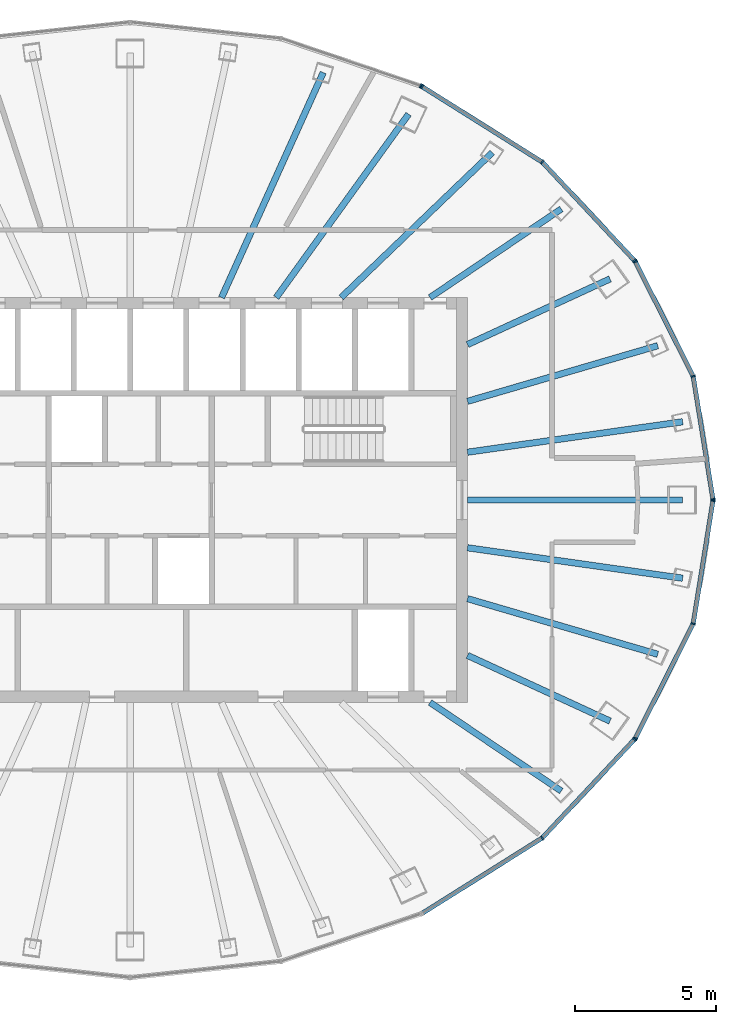
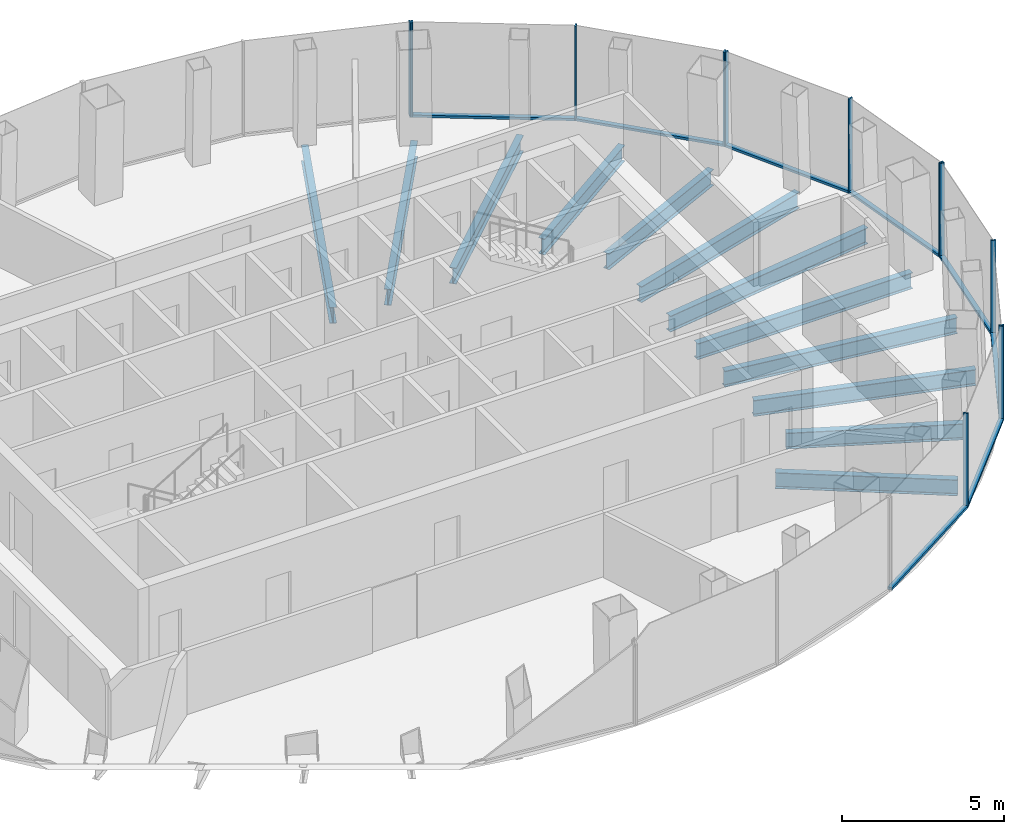
# One storey, part 5 of 11: 20 members, 12 beams, 5 elements without a shape of their own.
"""IFC4 building model written with IfcOpenShell, lengths in metres."""

from ifc_helpers import new_model, si_unit, direction, frame, origin, origin_2d, place, context, subcontext, project, spatial, rectangle, i_section, extrude, material, layer, layer_set, material_profile, profile_set, type_object, element, aggregate, save


model = new_model("IFC4")

# Units and contexts
model_context = context("Model", 3, precision=1e-05, world=origin(), true_north=direction((0.0, 1.0)))
body_context = subcontext(model_context, "Body", "Model", "MODEL_VIEW")
ifc_project = project(units=[si_unit("LENGTHUNIT", "METRE"), si_unit("AREAUNIT", "SQUARE_METRE"), si_unit("VOLUMEUNIT", "CUBIC_METRE"), si_unit("PLANEANGLEUNIT", "RADIAN"), si_unit("MASSUNIT", "GRAM", prefix="KILO")], contexts=[model_context])

# Site, building, storey
site_placement = place(None, origin())
site = spatial("IfcSite", under=ifc_project, at=site_placement, CompositionType="ELEMENT")
building_placement = place(site_placement, origin())
building = spatial("IfcBuilding", under=site, at=building_placement, Name="Siaravel Broadcast Tower", CompositionType="ELEMENT")
storey_placement = place(building_placement, frame((0.0, 0.0, 254.10009765625)))
storey = spatial("IfcBuildingStorey", under=building, at=storey_placement, Name="L62", CompositionType="ELEMENT", Elevation=254.10009765625)

# Beams
ifc_material_1 = material(Name="Steel S355", Category="steel")
ifc_material_profile_1 = material_profile(ifc_material_1, i_section(OverallWidth=0.2275390625, OverallDepth=0.6025390625, WebThickness=0.010498046875, FlangeThickness=0.014892578125, FilletRadius=0.0126953125, at=origin_2d()))
ifc_profile_set_1 = profile_set([ifc_material_profile_1], Name="Steel S355")
beam_type = type_object("IfcBeamType", Name="BM-UB 610x229x101", PredefinedType="BEAM", material=ifc_profile_set_1)
beam_1_placement = place(storey_placement, frame((19.647705078125, 0.0, -0.451416015625), z_axis=(-1.0, 0.0, 0.0), x_axis=(0.0, -1.0, 0.0)))
element("IfcBeam", 1, at=beam_1_placement, inside=storey, type_object=beam_type, Name="Radial beam RB01", PredefinedType="BEAM", context=body_context, shape_type="SweptSolid", body=[
    extrude(i_section(OverallWidth=0.2275390625, OverallDepth=0.6025390625, WebThickness=0.010498046875, FlangeThickness=0.014892578125, FilletRadius=0.0126953125, at=origin_2d()), origin(), (0.0, 0.0, 1.0), 7.647705078125),
])
beam_2_placement = place(storey_placement, frame((19.650390625, 2.78271484375, -0.451416015625), z_axis=(-0.990119396, -0.140226892, 0.0), x_axis=(0.140226892, -0.990119396, 0.0)))
element("IfcBeam", 2, at=beam_2_placement, inside=storey, type_object=beam_type, Name="Radial beam RB02", PredefinedType="BEAM", context=body_context, shape_type="SweptSolid", body=[
    extrude(i_section(OverallWidth=0.2275390625, OverallDepth=0.6025390625, WebThickness=0.010498046875, FlangeThickness=0.014892578125, FilletRadius=0.0126953125, at=origin_2d()), origin(), (0.0, 0.0, 1.0), 7.726806640625),
])
beam_3_placement = place(storey_placement, frame((18.765380859375, 5.48779296875, -0.451416015625), z_axis=(-0.95979842, -0.280690209, 0.0), x_axis=(0.280690209, -0.95979842, 0.0)))
element("IfcBeam", 3, at=beam_3_placement, inside=storey, type_object=beam_type, Name="Radial beam RB03", PredefinedType="BEAM", context=body_context, shape_type="SweptSolid", body=[
    extrude(i_section(OverallWidth=0.2275390625, OverallDepth=0.6025390625, WebThickness=0.010498046875, FlangeThickness=0.014892578125, FilletRadius=0.0126953125, at=origin_2d()), origin(), (0.0, 0.0, 1.0), 7.048828125),
])
beam_4_placement = place(storey_placement, frame((17.06884765625, 7.863525390625, -0.451416015625), z_axis=(-0.908249809, -0.418428351, 0.0), x_axis=(0.418428351, -0.908249809, 0.0)))
element("IfcBeam", 4, at=beam_4_placement, inside=storey, type_object=beam_type, Name="Radial beam RB04", PredefinedType="BEAM", context=body_context, shape_type="SweptSolid", body=[
    extrude(i_section(OverallWidth=0.2275390625, OverallDepth=0.6025390625, WebThickness=0.010498046875, FlangeThickness=0.014892578125, FilletRadius=0.0126953125, at=origin_2d()), origin(), (0.0, 0.0, 1.0), 5.580810546875),
])
beam_5_placement = place(storey_placement, frame((15.334716796875, 10.3515625, -0.451416015625), z_axis=(-0.828829078, -0.559501886, 0.0), x_axis=(0.559501886, -0.828829078, 0.0)))
element("IfcBeam", 5, at=beam_5_placement, inside=storey, type_object=beam_type, Name="Radial beam RB05", PredefinedType="BEAM", context=body_context, shape_type="SweptSolid", body=[
    extrude(i_section(OverallWidth=0.2275390625, OverallDepth=0.6025390625, WebThickness=0.010498046875, FlangeThickness=0.014892578125, FilletRadius=0.0126953125, at=origin_2d()), origin(), (0.0, 0.0, 1.0), 5.6328125),
])
beam_6_placement = place(storey_placement, frame((12.88330078125, 12.359375, -0.451416015625), z_axis=(-0.72163014, -0.692278803, 0.0), x_axis=(0.692278803, -0.72163014, 0.0)))
element("IfcBeam", 6, at=beam_6_placement, inside=storey, type_object=beam_type, Name="Radial beam RB06", PredefinedType="BEAM", context=body_context, shape_type="SweptSolid", body=[
    extrude(i_section(OverallWidth=0.2275390625, OverallDepth=0.6025390625, WebThickness=0.010498046875, FlangeThickness=0.014892578125, FilletRadius=0.0126953125, at=origin_2d()), origin(), (0.0, 0.0, 1.0), 7.452880859375),
])
beam_7_placement = place(storey_placement, frame((9.903564453125, 13.723388671875, -0.451416015625), z_axis=(-0.585195779, -0.81089204, 0.0), x_axis=(0.81089204, -0.585195779, 0.0)))
element("IfcBeam", 7, at=beam_7_placement, inside=storey, type_object=beam_type, Name="Radial beam RB07", PredefinedType="BEAM", context=body_context, shape_type="SweptSolid", body=[
    extrude(i_section(OverallWidth=0.2275390625, OverallDepth=0.6025390625, WebThickness=0.010498046875, FlangeThickness=0.014892578125, FilletRadius=0.0126953125, at=origin_2d()), origin(), (0.0, 0.0, 1.0), 8.044677734375),
])
beam_8_placement = place(storey_placement, frame((6.86767578125, 15.203125, -0.451416015625), z_axis=(-0.411671636, -0.911332247, 0.0), x_axis=(0.911332247, -0.411671636, 0.0)))
element("IfcBeam", 8, at=beam_8_placement, inside=storey, type_object=beam_type, Name="Radial beam RB08", PredefinedType="BEAM", context=body_context, shape_type="SweptSolid", body=[
    extrude(i_section(OverallWidth=0.2275390625, OverallDepth=0.6025390625, WebThickness=0.010498046875, FlangeThickness=0.014892578125, FilletRadius=0.0126953125, at=origin_2d()), origin(), (0.0, 0.0, 1.0), 8.78173828125),
])
beam_9_placement = place(storey_placement, frame((15.334716796875, -10.3515625, -0.451416015625), z_axis=(-0.828829078, 0.559501886, 0.0), x_axis=(-0.559501886, -0.828829078, 0.0)))
element("IfcBeam", 9, at=beam_9_placement, inside=storey, type_object=beam_type, Name="Radial beam RB33", PredefinedType="BEAM", context=body_context, shape_type="SweptSolid", body=[
    extrude(i_section(OverallWidth=0.2275390625, OverallDepth=0.6025390625, WebThickness=0.010498046875, FlangeThickness=0.014892578125, FilletRadius=0.0126953125, at=origin_2d()), origin(), (0.0, 0.0, 1.0), 5.6328125),
])
beam_10_placement = place(storey_placement, frame((17.06884765625, -7.863525390625, -0.451416015625), z_axis=(-0.908249809, 0.418428351, 0.0), x_axis=(-0.418428351, -0.908249809, 0.0)))
element("IfcBeam", 10, at=beam_10_placement, inside=storey, type_object=beam_type, Name="Radial beam RB34", PredefinedType="BEAM", context=body_context, shape_type="SweptSolid", body=[
    extrude(i_section(OverallWidth=0.2275390625, OverallDepth=0.6025390625, WebThickness=0.010498046875, FlangeThickness=0.014892578125, FilletRadius=0.0126953125, at=origin_2d()), origin(), (0.0, 0.0, 1.0), 5.580810546875),
])
beam_11_placement = place(storey_placement, frame((18.765380859375, -5.48779296875, -0.451416015625), z_axis=(-0.95979842, 0.280690209, 0.0), x_axis=(-0.280690209, -0.95979842, 0.0)))
element("IfcBeam", 11, at=beam_11_placement, inside=storey, type_object=beam_type, Name="Radial beam RB35", PredefinedType="BEAM", context=body_context, shape_type="SweptSolid", body=[
    extrude(i_section(OverallWidth=0.2275390625, OverallDepth=0.6025390625, WebThickness=0.010498046875, FlangeThickness=0.014892578125, FilletRadius=0.0126953125, at=origin_2d()), origin(), (0.0, 0.0, 1.0), 7.048828125),
])
beam_12_placement = place(storey_placement, frame((19.650390625, -2.78271484375, -0.451416015625), z_axis=(-0.990119396, 0.140226892, 0.0), x_axis=(-0.140226892, -0.990119396, 0.0)))
element("IfcBeam", 12, at=beam_12_placement, inside=storey, type_object=beam_type, Name="Radial beam RB36", PredefinedType="BEAM", context=body_context, shape_type="SweptSolid", body=[
    extrude(i_section(OverallWidth=0.2275390625, OverallDepth=0.6025390625, WebThickness=0.010498046875, FlangeThickness=0.014892578125, FilletRadius=0.0126953125, at=origin_2d()), origin(), (0.0, 0.0, 1.0), 7.726806640625),
])

# Curtain wall, members
ifc_material_2 = material(Name="Aluminium 6063-T6", Category="aluminium")
ifc_layer = layer(ifc_material_2, 0.159912109375)
ifc_layer_set = layer_set([ifc_layer], Name="Aluminium 6063-T6")
curtain_wall_type = type_object("IfcCurtainWallType", Name="Unitised curtain wall, zone 4", PredefinedType="NOTDEFINED", material=ifc_layer_set)
curtain_wall_1_placement = place(storey_placement, origin())
curtain_wall_1 = element("IfcCurtainWall", 13, at=curtain_wall_1_placement, inside=storey, type_object=curtain_wall_type, Name="L62 Unitised curtain wall, zone 4 01", PredefinedType="NOTDEFINED")
ifc_material_profile_2 = material_profile(ifc_material_2, rectangle(XDim=0.159912109375, YDim=0.054931640625, at=origin_2d()))
ifc_profile_set_2 = profile_set([ifc_material_profile_2], Name="Aluminium 6063-T6")
member_type_1 = type_object("IfcMemberType", Name="CW-Z4 mullion", PredefinedType="MULLION", material=ifc_profile_set_2)
member_1_placement = place(storey_placement, frame((20.729248046875, 0.027099609375, 0.0), z_axis=(0.0, 0.0, 1.0), x_axis=(-0.987329322, -0.158684626, 0.0)))
member_1 = element("IfcMember", 14, at=member_1_placement, type_object=member_type_1, Name="CW-Z4 mullion 1", PredefinedType="MULLION", context=body_context, shape_type="SweptSolid", body=[
    extrude(rectangle(XDim=0.159912109375, YDim=0.054931640625, at=origin_2d()), origin(), (0.0, 0.0, 1.0), 3.5498046875),
])
member_2_placement = place(storey_placement, frame((20.0263671875, 4.400390625, 0.0), z_axis=(0.0, 0.0, 1.0), x_axis=(-0.951177667, -0.30864388, 0.0)))
member_2 = element("IfcMember", 15, at=member_2_placement, type_object=member_type_1, Name="CW-Z4 mullion 2", PredefinedType="MULLION", context=body_context, shape_type="SweptSolid", body=[
    extrude(rectangle(XDim=0.159912109375, YDim=0.054931640625, at=origin_2d()), origin(), (0.0, 0.0, 1.0), 3.5498046875),
])
member_3_placement = place(storey_placement, frame((17.9658203125, 8.475341796875, 0.0), z_axis=(0.0, 0.0, 1.0), x_axis=(-0.892393007, -0.45125904, 0.0)))
member_3 = element("IfcMember", 16, at=member_3_placement, type_object=member_type_1, Name="CW-Z4 mullion 3", PredefinedType="MULLION", context=body_context, shape_type="SweptSolid", body=[
    extrude(rectangle(XDim=0.159912109375, YDim=0.054931640625, at=origin_2d()), origin(), (0.0, 0.0, 1.0), 3.5498046875),
])

curtain_wall_2_placement = place(storey_placement, origin())
curtain_wall_2 = element("IfcCurtainWall", 17, at=curtain_wall_2_placement, inside=storey, type_object=curtain_wall_type, Name="L62 Unitised curtain wall, zone 4 02", PredefinedType="NOTDEFINED")
member_4_placement = place(storey_placement, frame((17.9345703125, 8.52001953125, 0.0), z_axis=(0.0, 0.0, 1.0), x_axis=(-0.729806711, -0.683653541, 0.0)))
member_4 = element("IfcMember", 18, at=member_4_placement, type_object=member_type_1, Name="CW-Z4 mullion 1", PredefinedType="MULLION", context=body_context, shape_type="SweptSolid", body=[
    extrude(rectangle(XDim=0.159912109375, YDim=0.054931640625, at=origin_2d()), origin(), (0.0, 0.0, 1.0), 3.5498046875),
])
member_5_placement = place(storey_placement, frame((14.6572265625, 12.0185546875, 0.0), z_axis=(0.0, 0.0, 1.0), x_axis=(-0.636220107, -0.771507599, 0.0)))
member_5 = element("IfcMember", 19, at=member_5_placement, type_object=member_type_1, Name="CW-Z4 mullion 2", PredefinedType="MULLION", context=body_context, shape_type="SweptSolid", body=[
    extrude(rectangle(XDim=0.159912109375, YDim=0.054931640625, at=origin_2d()), origin(), (0.0, 0.0, 1.0), 3.5498046875),
])
member_6_placement = place(storey_placement, frame((10.386474609375, 14.702880859375, 0.0), z_axis=(0.0, 0.0, 1.0), x_axis=(-0.532150638, -0.84664969, 0.0)))
member_6 = element("IfcMember", 20, at=member_6_placement, type_object=member_type_1, Name="CW-Z4 mullion 3", PredefinedType="MULLION", context=body_context, shape_type="SweptSolid", body=[
    extrude(rectangle(XDim=0.159912109375, YDim=0.054931640625, at=origin_2d()), origin(), (0.0, 0.0, 1.0), 3.5498046875),
])

# Curtain wall, member
curtain_wall_3_placement = place(storey_placement, origin())
curtain_wall_3 = element("IfcCurtainWall", 21, at=curtain_wall_3_placement, inside=storey, type_object=curtain_wall_type, Name="L62 Unitised curtain wall, zone 4 03", PredefinedType="NOTDEFINED")
member_7_placement = place(storey_placement, frame((10.337158203125, 14.726318359375, 0.0), z_axis=(0.0, 0.0, 1.0), x_axis=(-0.321301584, -0.946976923, 0.0)))
member_7 = element("IfcMember", 22, at=member_7_placement, type_object=member_type_1, Name="CW-Z4 mullion 1", PredefinedType="MULLION", context=body_context, shape_type="SweptSolid", body=[
    extrude(rectangle(XDim=0.159912109375, YDim=0.054931640625, at=origin_2d()), origin(), (0.0, 0.0, 1.0), 3.5498046875),
])
aggregate(curtain_wall_3, [member_7])

# Curtain wall, members
curtain_wall_4_placement = place(storey_placement, origin())
curtain_wall_4 = element("IfcCurtainWall", 23, at=curtain_wall_4_placement, inside=storey, type_object=curtain_wall_type, Name="L62 Unitised curtain wall, zone 4 11", PredefinedType="NOTDEFINED")
member_8_placement = place(storey_placement, frame((14.6572265625, -12.0185546875, 0.0), z_axis=(0.0, 0.0, 1.0), x_axis=(-0.636220107, 0.771507599, 0.0)))
member_8 = element("IfcMember", 24, at=member_8_placement, type_object=member_type_1, Name="CW-Z4 mullion 2", PredefinedType="MULLION", context=body_context, shape_type="SweptSolid", body=[
    extrude(rectangle(XDim=0.159912109375, YDim=0.054931640625, at=origin_2d()), origin(), (0.0, 0.0, 1.0), 3.5498046875),
])
member_9_placement = place(storey_placement, frame((17.9345703125, -8.52001953125, 0.0), z_axis=(0.0, 0.0, 1.0), x_axis=(-0.729806711, 0.683653541, 0.0)))
member_9 = element("IfcMember", 25, at=member_9_placement, type_object=member_type_1, Name="CW-Z4 mullion 3", PredefinedType="MULLION", context=body_context, shape_type="SweptSolid", body=[
    extrude(rectangle(XDim=0.159912109375, YDim=0.054931640625, at=origin_2d()), origin(), (0.0, 0.0, 1.0), 3.5498046875),
])

curtain_wall_5_placement = place(storey_placement, origin())
curtain_wall_5 = element("IfcCurtainWall", 26, at=curtain_wall_5_placement, inside=storey, type_object=curtain_wall_type, Name="L62 Unitised curtain wall, zone 4 12", PredefinedType="NOTDEFINED")
member_10_placement = place(storey_placement, frame((17.9658203125, -8.475341796875, 0.0), z_axis=(0.0, 0.0, 1.0), x_axis=(-0.892393007, 0.45125904, 0.0)))
member_10 = element("IfcMember", 27, at=member_10_placement, type_object=member_type_1, Name="CW-Z4 mullion 1", PredefinedType="MULLION", context=body_context, shape_type="SweptSolid", body=[
    extrude(rectangle(XDim=0.159912109375, YDim=0.054931640625, at=origin_2d()), origin(), (0.0, 0.0, 1.0), 3.5498046875),
])
member_11_placement = place(storey_placement, frame((20.0263671875, -4.400390625, 0.0), z_axis=(0.0, 0.0, 1.0), x_axis=(-0.951177667, 0.30864388, 0.0)))
member_11 = element("IfcMember", 28, at=member_11_placement, type_object=member_type_1, Name="CW-Z4 mullion 2", PredefinedType="MULLION", context=body_context, shape_type="SweptSolid", body=[
    extrude(rectangle(XDim=0.159912109375, YDim=0.054931640625, at=origin_2d()), origin(), (0.0, 0.0, 1.0), 3.5498046875),
])
member_12_placement = place(storey_placement, frame((20.729248046875, -0.027099609375, 0.0), z_axis=(0.0, 0.0, 1.0), x_axis=(-0.987329322, 0.158684626, 0.0)))
member_12 = element("IfcMember", 29, at=member_12_placement, type_object=member_type_1, Name="CW-Z4 mullion 3", PredefinedType="MULLION", context=body_context, shape_type="SweptSolid", body=[
    extrude(rectangle(XDim=0.159912109375, YDim=0.054931640625, at=origin_2d()), origin(), (0.0, 0.0, 1.0), 3.5498046875),
])

# Member
ifc_material_profile_3 = material_profile(ifc_material_2, rectangle(XDim=0.159912109375, YDim=0.090087890625, at=origin_2d()))
ifc_profile_set_3 = profile_set([ifc_material_profile_3], Name="Aluminium 6063-T6")
member_type_2 = type_object("IfcMemberType", Name="CW-Z4 transom", PredefinedType="USERDEFINED", material=ifc_profile_set_3)
member_13_placement = place(storey_placement, frame((20.724853515625, 0.05419921875, 0.044921875), z_axis=(-0.158667409, 0.987332089, 0.0), x_axis=(-0.987332089, -0.158667409, 0.0)))
member_13 = element("IfcMember", 30, at=member_13_placement, type_object=member_type_2, Name="CW-Z4 transom 1", ObjectType="TRANSOM", PredefinedType="USERDEFINED", context=body_context, shape_type="SweptSolid", body=[
    extrude(rectangle(XDim=0.159912109375, YDim=0.090087890625, at=origin_2d()), origin(), (0.0, 0.0, 1.0), 4.37451171875),
])

member_14_placement = place(storey_placement, frame((20.013916015625, 4.425048828125, 0.044921875), z_axis=(-0.451257233, 0.892393921, 0.0), x_axis=(-0.892393921, -0.451257233, 0.0)))
member_14 = element("IfcMember", 31, at=member_14_placement, type_object=member_type_2, Name="CW-Z4 transom 2", ObjectType="TRANSOM", PredefinedType="USERDEFINED", context=body_context, shape_type="SweptSolid", body=[
    extrude(rectangle(XDim=0.159912109375, YDim=0.090087890625, at=origin_2d()), origin(), (0.0, 0.0, 1.0), 4.510986328125),
])

aggregate(curtain_wall_1, [member_1, member_2, member_3, member_13, member_14])

member_15_placement = place(storey_placement, frame((17.915771484375, 8.5400390625, 0.044921875), z_axis=(-0.683649743, 0.729810269, 0.0), x_axis=(-0.729810269, -0.683649743, 0.0)))
member_15 = element("IfcMember", 32, at=member_15_placement, type_object=member_type_2, Name="CW-Z4 transom 1", ObjectType="TRANSOM", PredefinedType="USERDEFINED", context=body_context, shape_type="SweptSolid", body=[
    extrude(rectangle(XDim=0.159912109375, YDim=0.090087890625, at=origin_2d()), origin(), (0.0, 0.0, 1.0), 4.739013671875),
])

member_16_placement = place(storey_placement, frame((14.6337890625, 12.033203125, 0.044921875), z_axis=(-0.846648518, 0.532152504, 0.0), x_axis=(-0.532152504, -0.846648518, 0.0)))
member_16 = element("IfcMember", 33, at=member_16_placement, type_object=member_type_2, Name="CW-Z4 transom 2", ObjectType="TRANSOM", PredefinedType="USERDEFINED", context=body_context, shape_type="SweptSolid", body=[
    extrude(rectangle(XDim=0.159912109375, YDim=0.090087890625, at=origin_2d()), origin(), (0.0, 0.0, 1.0), 4.9892578125),
])

aggregate(curtain_wall_2, [member_4, member_5, member_6, member_15, member_16])

member_17_placement = place(storey_placement, frame((10.40966796875, -14.688232421875, 0.044921875), z_axis=(0.846648518, 0.532152504, 0.0), x_axis=(-0.532152504, 0.846648518, 0.0)))
member_17 = element("IfcMember", 34, at=member_17_placement, type_object=member_type_2, Name="CW-Z4 transom 1", ObjectType="TRANSOM", PredefinedType="USERDEFINED", context=body_context, shape_type="SweptSolid", body=[
    extrude(rectangle(XDim=0.159912109375, YDim=0.090087890625, at=origin_2d()), origin(), (0.0, 0.0, 1.0), 4.9892578125),
])

member_18_placement = place(storey_placement, frame((14.676025390625, -11.99853515625, 0.044921875), z_axis=(0.683649743, 0.729810269, 0.0), x_axis=(-0.729810269, 0.683649743, 0.0)))
member_18 = element("IfcMember", 35, at=member_18_placement, type_object=member_type_2, Name="CW-Z4 transom 2", ObjectType="TRANSOM", PredefinedType="USERDEFINED", context=body_context, shape_type="SweptSolid", body=[
    extrude(rectangle(XDim=0.159912109375, YDim=0.090087890625, at=origin_2d()), origin(), (0.0, 0.0, 1.0), 4.739013671875),
])

aggregate(curtain_wall_4, [member_8, member_9, member_17, member_18])

member_19_placement = place(storey_placement, frame((17.978271484375, -8.45068359375, 0.044921875), z_axis=(0.451257233, 0.892393921, 0.0), x_axis=(-0.892393921, 0.451257233, 0.0)))
member_19 = element("IfcMember", 36, at=member_19_placement, type_object=member_type_2, Name="CW-Z4 transom 1", ObjectType="TRANSOM", PredefinedType="USERDEFINED", context=body_context, shape_type="SweptSolid", body=[
    extrude(rectangle(XDim=0.159912109375, YDim=0.090087890625, at=origin_2d()), origin(), (0.0, 0.0, 1.0), 4.510986328125),
])

member_20_placement = place(storey_placement, frame((20.03076171875, -4.373291015625, 0.044921875), z_axis=(0.158667409, 0.987332089, 0.0), x_axis=(-0.987332089, 0.158667409, 0.0)))
member_20 = element("IfcMember", 37, at=member_20_placement, type_object=member_type_2, Name="CW-Z4 transom 2", ObjectType="TRANSOM", PredefinedType="USERDEFINED", context=body_context, shape_type="SweptSolid", body=[
    extrude(rectangle(XDim=0.159912109375, YDim=0.090087890625, at=origin_2d()), origin(), (0.0, 0.0, 1.0), 4.37451171875),
])

aggregate(curtain_wall_5, [member_10, member_11, member_12, member_19, member_20])

save(model, "model.ifc")
